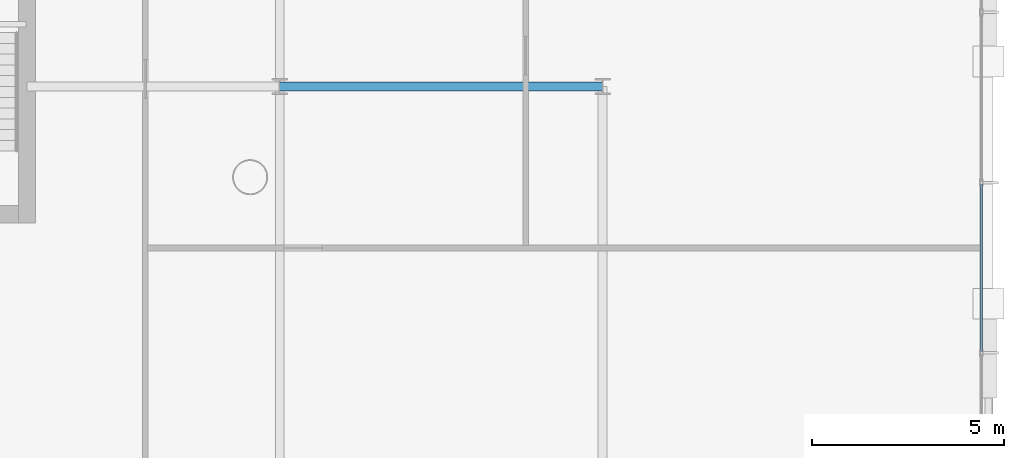
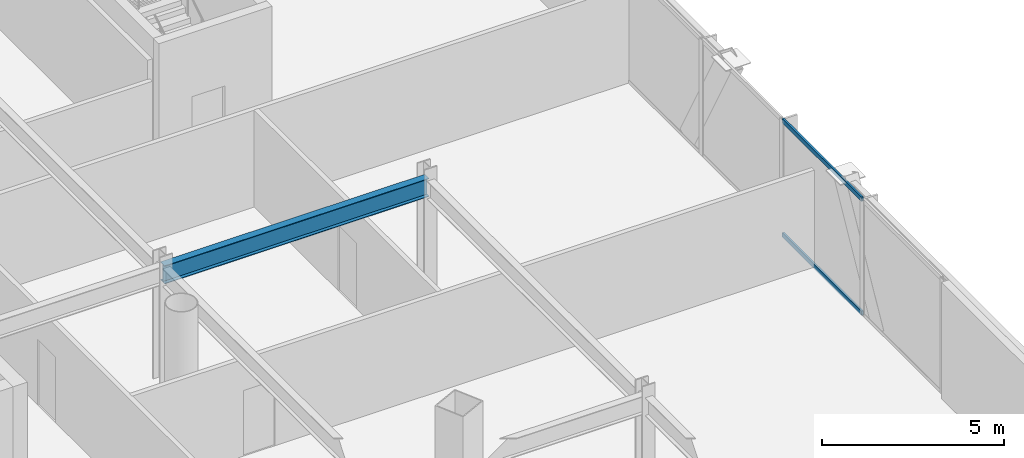
# One storey, part 20 of 46: 2 members, 1 beam, 1 element without a shape of its own.
"""IFC4 building model written with IfcOpenShell, lengths in metres."""

from ifc_helpers import new_model, si_unit, direction, frame, origin, origin_2d, place, context, subcontext, project, spatial, hollow_rectangle, i_section, extrude, material, layer, layer_set, material_profile, profile_set, type_object, element, aggregate, save


model = new_model("IFC4")

# Units and contexts
model_context = context("Model", 3, precision=1e-05, world=origin(), true_north=direction((0.0, 1.0)))
body_context = subcontext(model_context, "Body", "Model", "MODEL_VIEW")
ifc_project = project(units=[si_unit("LENGTHUNIT", "METRE"), si_unit("AREAUNIT", "SQUARE_METRE"), si_unit("VOLUMEUNIT", "CUBIC_METRE"), si_unit("PLANEANGLEUNIT", "RADIAN"), si_unit("MASSUNIT", "GRAM", prefix="KILO")], contexts=[model_context])

# Site, building, storey
site_placement = place(None, origin())
site = spatial("IfcSite", under=ifc_project, at=site_placement, CompositionType="ELEMENT")
building_placement = place(site_placement, origin())
building = spatial("IfcBuilding", under=site, at=building_placement, Name="Orvanel Arch Residences", CompositionType="ELEMENT")
storey_placement = place(building_placement, frame((0.0, 0.0, 14.10009765625)))
storey = spatial("IfcBuildingStorey", under=building, at=storey_placement, Name="L03", CompositionType="ELEMENT", Elevation=14.10009765625)

# Beam
ifc_material_1 = material(Name="Structural steel AS/NZS 3679.1 Grade 300 (300 MPa)", Category="steel")
ifc_material_profile_1 = material_profile(ifc_material_1, i_section(OverallWidth=0.22900390625, OverallDepth=0.612060546875, WebThickness=0.011962890625, FlangeThickness=0.01953125, at=origin_2d()), Name="610UB125")
ifc_profile_set_1 = profile_set([ifc_material_profile_1], Name="Structural steel AS/NZS 3679.1 Grade 300 (300 MPa)")
beam_type = type_object("IfcBeamType", Name="BG-610UB", PredefinedType="BEAM", material=ifc_profile_set_1)
beam_placement = place(storey_placement, frame((46.199951171875, 30.0, 3.593994140625), z_axis=(1.0, 0.0, 0.0), x_axis=(0.0, 1.0, 0.0)))
element("IfcBeam", 1, at=beam_placement, inside=storey, type_object=beam_type, Name="L03 BG-610UB beam", PredefinedType="BEAM", context=body_context, shape_type="SweptSolid", body=[
    extrude(i_section(OverallWidth=0.22900390625, OverallDepth=0.612060546875, WebThickness=0.011962890625, FlangeThickness=0.01953125, at=origin_2d()), origin(), (0.0, 0.0, 1.0), 8.400146484375),
])

# Curtain wall, members
ifc_material_2 = material(Name="Bronze-anodised aluminium AA6063-T6", Category="aluminium")
ifc_layer = layer(ifc_material_2, 0.199951171875)
ifc_layer_set = layer_set([ifc_layer], Name="Bronze-anodised aluminium AA6063-T6")
curtain_wall_type = type_object("IfcCurtainWallType", Name="CW1-POD-SYS", PredefinedType="NOTDEFINED", material=ifc_layer_set)
curtain_wall_placement = place(storey_placement, origin())
curtain_wall = element("IfcCurtainWall", 2, at=curtain_wall_placement, inside=storey, type_object=curtain_wall_type, Name="L03 CW1-POD-SYS Unitised Curtain Wall", PredefinedType="NOTDEFINED")
ifc_material_profile_2 = material_profile(ifc_material_2, hollow_rectangle(XDim=0.06494140625, YDim=0.14990234375, WallThickness=0.00390625, at=origin_2d()), Name="ALU150x65x4")
ifc_profile_set_2 = profile_set([ifc_material_profile_2], Name="Bronze-anodised aluminium AA6063-T6")
member_type = type_object("IfcMemberType", Name="TRN-150x65", PredefinedType="USERDEFINED", material=ifc_profile_set_2)
member_1_placement = place(storey_placement, frame((64.449951171875, 23.107421875, 0.032470703125), z_axis=(0.0, 1.0, 0.0), x_axis=(-1.0, 0.0, 0.0)))
member_1 = element("IfcMember", 3, at=member_1_placement, type_object=member_type, Name="CW-S1 transom 2.1", ObjectType="TRANSOM", PredefinedType="USERDEFINED", context=body_context, shape_type="SweptSolid", body=[
    extrude(hollow_rectangle(XDim=0.06494140625, YDim=0.14990234375, WallThickness=0.00390625, at=origin_2d()), origin(), (0.0, 0.0, 1.0), 4.35498046875),
])
member_2_placement = place(storey_placement, frame((64.449951171875, 23.107421875, 3.867431640625), z_axis=(0.0, 1.0, 0.0), x_axis=(-1.0, 0.0, 0.0)))
member_2 = element("IfcMember", 4, at=member_2_placement, type_object=member_type, Name="CW-S1 transom 2.2", ObjectType="TRANSOM", PredefinedType="USERDEFINED", context=body_context, shape_type="SweptSolid", body=[
    extrude(hollow_rectangle(XDim=0.06494140625, YDim=0.14990234375, WallThickness=0.00390625, at=origin_2d()), origin(), (0.0, 0.0, 1.0), 4.35498046875),
])
aggregate(curtain_wall, [member_1, member_2])

save(model, "model.ifc")
